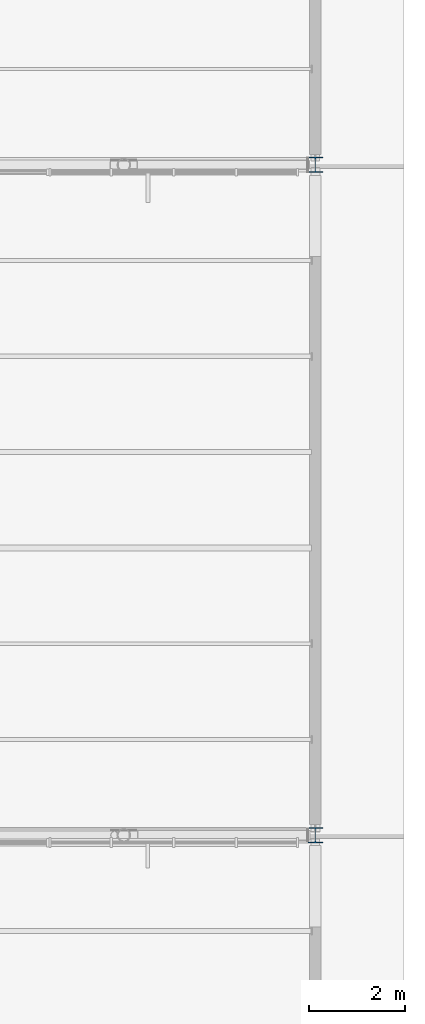
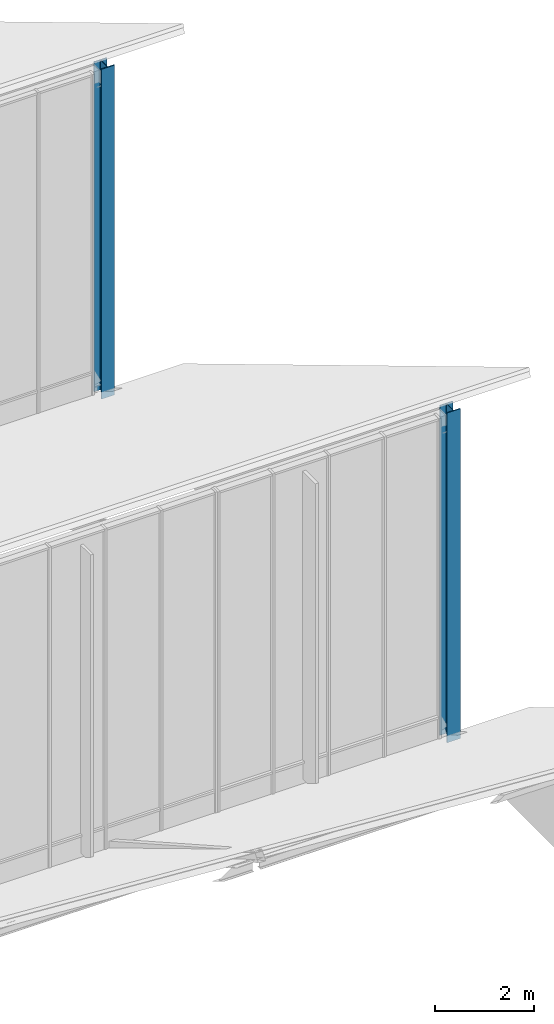
# One storey, part 9 of 155: 2 columns.
"""IFC4 building model written with IfcOpenShell, lengths in metres."""

from ifc_helpers import new_model, si_unit, direction, frame, origin, origin_2d, place, context, subcontext, project, spatial, i_section, extrude, material, material_profile, profile_set, type_object, element, save


model = new_model("IFC4")

# Units and contexts
model_context = context("Model", 3, precision=1e-05, world=origin(), true_north=direction((0.0, 1.0)))
body_context = subcontext(model_context, "Body", "Model", "MODEL_VIEW")
ifc_project = project(units=[si_unit("LENGTHUNIT", "METRE"), si_unit("AREAUNIT", "SQUARE_METRE"), si_unit("VOLUMEUNIT", "CUBIC_METRE"), si_unit("PLANEANGLEUNIT", "RADIAN"), si_unit("MASSUNIT", "GRAM", prefix="KILO")], contexts=[model_context])

# Site, building, storey
site_placement = place(None, origin())
site = spatial("IfcSite", under=ifc_project, at=site_placement, CompositionType="ELEMENT")
building_placement = place(site_placement, origin())
building = spatial("IfcBuilding", under=site, at=building_placement, Name="Larkveld Mobility Hub", CompositionType="ELEMENT")
storey_placement = place(building_placement, frame((0.0, 0.0, 8.39990234375)))
storey = spatial("IfcBuildingStorey", under=building, at=storey_placement, Name="L02", CompositionType="ELEMENT", Elevation=8.39990234375)

# Columns
ifc_material = material(Name="Steel S355JR", Category="steel")
ifc_material_profile = material_profile(ifc_material, i_section(OverallWidth=0.30908203125, OverallDepth=0.320556640625, WebThickness=0.013916015625, FlangeThickness=0.021728515625, FilletRadius=0.01513671875, at=origin_2d()), Name="UC 305x305x137")
ifc_profile_set = profile_set([ifc_material_profile], Name="Steel S355JR")
column_type = type_object("IfcColumnType", Name="CL-STUC305", PredefinedType="COLUMN", material=ifc_profile_set)
for number, where, z_axis, x_axis, name in (
    (1, (184.0, 98.0, 0.0), (0.0, 0.0, 1.0), (1.0, 0.0, 0.0), "Sawtooth Clerestory Truss Post B6-E"),
    (2, (184.0, 112.0, 0.0), (0.0, 0.0, 1.0), (1.0, 0.0, 0.0), "Sawtooth Clerestory Truss Post B7-E"),
):
    element("IfcColumn", number, at=place(storey_placement, frame(where, z_axis=z_axis, x_axis=x_axis)), inside=storey, type_object=column_type, Name=name, PredefinedType="COLUMN", context=body_context, shape_type="SweptSolid", body=[
        extrude(i_section(OverallWidth=0.30908203125, OverallDepth=0.320556640625, WebThickness=0.013916015625, FlangeThickness=0.021728515625, FilletRadius=0.01513671875, at=origin_2d()), origin(), (0.0, 0.0, 1.0), 8.150146484375),
    ])

save(model, "model.ifc")
